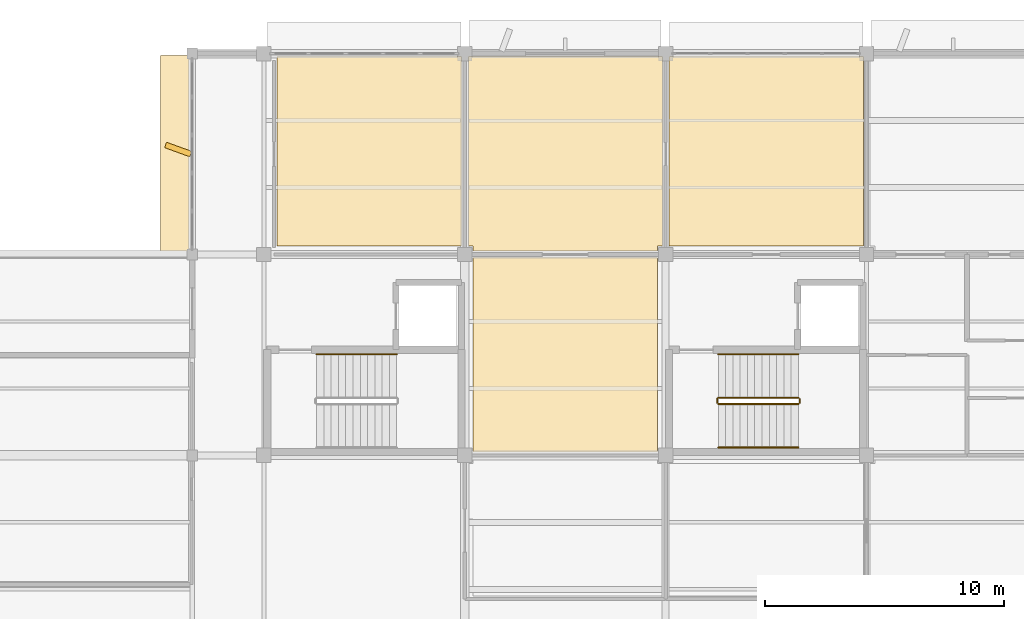
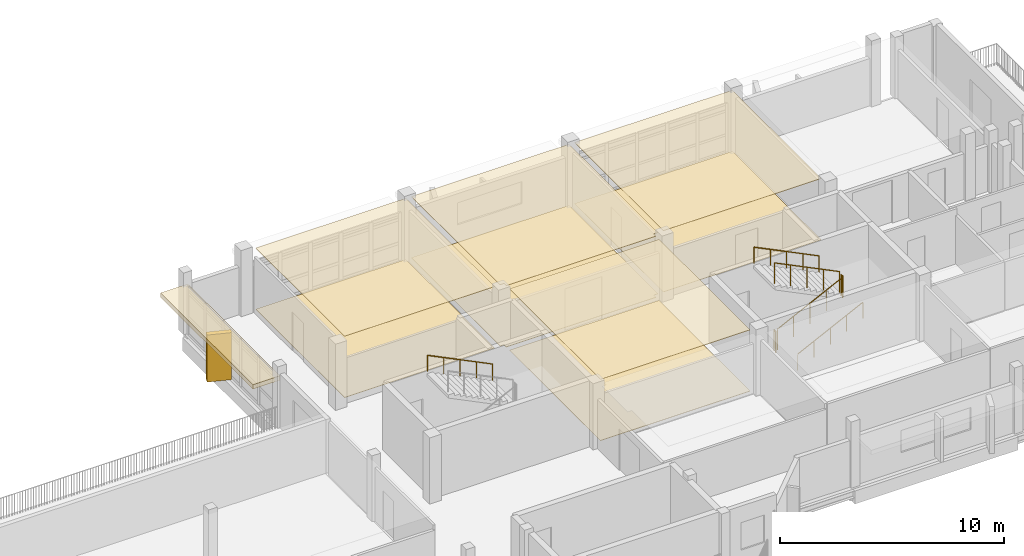
# One storey, part 37 of 42: 10 coverings, 7 railings.
"""IFC4 building model written with IfcOpenShell, lengths in metres."""

from ifc_helpers import new_model, si_unit, direction, frame, origin, origin_2d, place, context, subcontext, project, spatial, polyline, rectangle, circle, outline, extrude, material, layer, layer_set, type_object, element, save


model = new_model("IFC4")

# Units and contexts
model_context = context("Model", 3, precision=1e-05, world=origin(), true_north=direction((0.0, 1.0)))
body_context = subcontext(model_context, "Body", "Model", "MODEL_VIEW")
ifc_project = project(units=[si_unit("LENGTHUNIT", "METRE"), si_unit("AREAUNIT", "SQUARE_METRE"), si_unit("VOLUMEUNIT", "CUBIC_METRE"), si_unit("PLANEANGLEUNIT", "RADIAN"), si_unit("MASSUNIT", "GRAM", prefix="KILO")], contexts=[model_context])

# Site, building, storey
site_placement = place(None, origin())
site = spatial("IfcSite", under=ifc_project, at=site_placement, CompositionType="ELEMENT")
building_placement = place(site_placement, origin())
building = spatial("IfcBuilding", under=site, at=building_placement, Name="Vanh Quang Courtyard School", CompositionType="ELEMENT")
storey_placement = place(building_placement, frame((0.0, 0.0, 15.0)))
storey = spatial("IfcBuildingStorey", under=building, at=storey_placement, Name="L04", CompositionType="ELEMENT", Elevation=15.0)

# Coverings
ifc_material_1 = material(Name="Perforated mineral-fibre acoustic ceiling board")
ifc_layer_1 = layer(ifc_material_1, 0.02490234375)
ifc_layer_set_1 = layer_set([ifc_layer_1], Name="Perforated mineral-fibre acoustic ceiling board")
covering_type_1 = type_object("IfcCoveringType", Name="COV-CEIL-ACOUSTIC", PredefinedType="CEILING", material=ifc_layer_set_1)
covering_1_placement = place(storey_placement, frame((0.0, 0.0, 3.324951171875)))
element("IfcCovering", 1, at=covering_1_placement, inside=storey, type_object=covering_type_1, Name="Covering CV-CL1 (L04)", PredefinedType="CEILING", context=body_context, shape_type="SweptSolid", body=[
    extrude(outline(polyline([(77.949951171875, 96.4599609375), (77.949951171875, 96.4609375), (77.9501953125, 96.4619140625), (77.950439453125, 96.462890625), (77.95068359375, 96.4638671875), (77.951171875, 96.464599609375), (77.95166015625, 96.465576171875), (77.952392578125, 96.46630859375), (77.952880859375, 96.467041015625), (77.95361328125, 96.4677734375), (77.954345703125, 96.46826171875), (77.955322265625, 96.46875), (77.956298828125, 96.46923828125), (77.95703125, 96.469482421875), (77.9580078125, 96.4697265625), (77.958984375, 96.469970703125), (77.9599609375, 96.469970703125), (85.659912109375, 96.469970703125), (85.660888671875, 96.469970703125), (85.662109375, 96.4697265625), (85.662841796875, 96.469482421875), (85.663818359375, 96.46923828125), (85.664794921875, 96.46875), (85.66552734375, 96.46826171875), (85.666259765625, 96.4677734375), (85.6669921875, 96.467041015625), (85.667724609375, 96.46630859375), (85.668212890625, 96.465576171875), (85.668701171875, 96.464599609375), (85.669189453125, 96.4638671875), (85.669677734375, 96.462890625), (85.669921875, 96.4619140625), (85.669921875, 96.4609375), (85.669921875, 96.4599609375), (85.669921875, 88.550048828125), (77.949951171875, 88.550048828125), (77.949951171875, 96.4599609375)])), origin(), (0.0, 0.0, 1.0), 0.025146484375),
])
covering_2_placement = place(storey_placement, frame((0.0, 0.0, 3.324951171875)))
element("IfcCovering", 2, at=covering_2_placement, inside=storey, type_object=covering_type_1, Name="Covering CV-CL1 (L04)", PredefinedType="CEILING", context=body_context, shape_type="SweptSolid", body=[
    extrude(outline(polyline([(86.14990234375, 79.949951171875), (86.14990234375, 88.070068359375), (93.85009765625, 88.070068359375), (93.85009765625, 79.949951171875), (86.14990234375, 79.949951171875)])), origin(), (0.0, 0.0, 1.0), 0.025146484375),
])
covering_3_placement = place(storey_placement, frame((0.0, 0.0, 3.324951171875)))
element("IfcCovering", 3, at=covering_3_placement, inside=storey, type_object=covering_type_1, Name="Covering CV-CL1 (L04)", PredefinedType="CEILING", context=body_context, shape_type="SweptSolid", body=[
    extrude(outline(polyline([(86.14990234375, 88.35009765625), (86.14990234375, 88.550048828125), (85.949951171875, 88.550048828125), (85.949951171875, 96.4599609375), (85.949951171875, 96.4609375), (85.9501953125, 96.4619140625), (85.950439453125, 96.462890625), (85.95068359375, 96.4638671875), (85.951171875, 96.464599609375), (85.95166015625, 96.465576171875), (85.952392578125, 96.46630859375), (85.952880859375, 96.467041015625), (85.95361328125, 96.4677734375), (85.954345703125, 96.46826171875), (85.955322265625, 96.46875), (85.956298828125, 96.46923828125), (85.95703125, 96.469482421875), (85.9580078125, 96.4697265625), (85.958984375, 96.469970703125), (85.9599609375, 96.469970703125), (94.06005859375, 96.469970703125), (94.06103515625, 96.469970703125), (94.06201171875, 96.4697265625), (94.06298828125, 96.469482421875), (94.063720703125, 96.46923828125), (94.064697265625, 96.46875), (94.065673828125, 96.46826171875), (94.06640625, 96.4677734375), (94.067138671875, 96.467041015625), (94.067626953125, 96.46630859375), (94.068359375, 96.465576171875), (94.06884765625, 96.464599609375), (94.069091796875, 96.4638671875), (94.069580078125, 96.462890625), (94.06982421875, 96.4619140625), (94.070068359375, 96.4609375), (94.070068359375, 96.4599609375), (94.070068359375, 88.550048828125), (93.85009765625, 88.550048828125), (93.85009765625, 88.35009765625), (86.14990234375, 88.35009765625)])), origin(), (0.0, 0.0, 1.0), 0.025146484375),
])
covering_4_placement = place(storey_placement, frame((0.0, 0.0, 3.324951171875)))
element("IfcCovering", 4, at=covering_4_placement, inside=storey, type_object=covering_type_1, Name="Covering CV-CL1 (L04)", PredefinedType="CEILING", context=body_context, shape_type="SweptSolid", body=[
    extrude(outline(polyline([(94.35009765625, 96.4599609375), (94.35009765625, 96.4609375), (94.35009765625, 96.4619140625), (94.350341796875, 96.462890625), (94.350830078125, 96.4638671875), (94.351318359375, 96.464599609375), (94.351806640625, 96.465576171875), (94.352294921875, 96.46630859375), (94.352783203125, 96.467041015625), (94.353759765625, 96.4677734375), (94.3544921875, 96.46826171875), (94.355224609375, 96.46875), (94.356201171875, 96.46923828125), (94.357177734375, 96.469482421875), (94.35791015625, 96.4697265625), (94.35888671875, 96.469970703125), (94.360107421875, 96.469970703125), (102.4599609375, 96.469970703125), (102.4609375, 96.469970703125), (102.4619140625, 96.4697265625), (102.462890625, 96.469482421875), (102.4638671875, 96.46923828125), (102.464599609375, 96.46875), (102.465576171875, 96.46826171875), (102.46630859375, 96.4677734375), (102.467041015625, 96.467041015625), (102.4677734375, 96.46630859375), (102.46826171875, 96.465576171875), (102.46875, 96.464599609375), (102.46923828125, 96.4638671875), (102.469482421875, 96.462890625), (102.4697265625, 96.4619140625), (102.469970703125, 96.4609375), (102.469970703125, 96.4599609375), (102.469970703125, 88.550048828125), (94.34912109375, 88.550048828125), (94.35009765625, 96.4599609375)])), origin(), (0.0, 0.0, 1.0), 0.025146484375),
])
ifc_material_2 = material(Name="Polished cementitious terrazzo tile", Category="concrete")
ifc_layer_2 = layer(ifc_material_2, 0.02001953125)
ifc_layer_set_2 = layer_set([ifc_layer_2], Name="Polished cementitious terrazzo tile")
covering_type_2 = type_object("IfcCoveringType", Name="COV-FLR-TERRAZZO", PredefinedType="FLOORING", material=ifc_layer_set_2)
covering_5_placement = place(storey_placement, origin())
element("IfcCovering", 5, at=covering_5_placement, inside=storey, type_object=covering_type_2, Name="Covering CV-FL1 (L04)", PredefinedType="FLOORING", context=body_context, shape_type="SweptSolid", body=[
    extrude(outline(polyline([(77.949951171875, 96.4599609375), (77.949951171875, 96.4609375), (77.9501953125, 96.4619140625), (77.950439453125, 96.462890625), (77.95068359375, 96.4638671875), (77.951171875, 96.464599609375), (77.95166015625, 96.465576171875), (77.952392578125, 96.46630859375), (77.952880859375, 96.467041015625), (77.95361328125, 96.4677734375), (77.954345703125, 96.46826171875), (77.955322265625, 96.46875), (77.956298828125, 96.46923828125), (77.95703125, 96.469482421875), (77.9580078125, 96.4697265625), (77.958984375, 96.469970703125), (77.9599609375, 96.469970703125), (85.659912109375, 96.469970703125), (85.660888671875, 96.469970703125), (85.662109375, 96.4697265625), (85.662841796875, 96.469482421875), (85.663818359375, 96.46923828125), (85.664794921875, 96.46875), (85.66552734375, 96.46826171875), (85.666259765625, 96.4677734375), (85.6669921875, 96.467041015625), (85.667724609375, 96.46630859375), (85.668212890625, 96.465576171875), (85.668701171875, 96.464599609375), (85.669189453125, 96.4638671875), (85.669677734375, 96.462890625), (85.669921875, 96.4619140625), (85.669921875, 96.4609375), (85.669921875, 96.4599609375), (85.669921875, 88.550048828125), (77.949951171875, 88.550048828125), (77.949951171875, 96.4599609375)])), origin(), (0.0, 0.0, 1.0), 0.02001953125),
])
covering_6_placement = place(storey_placement, origin())
element("IfcCovering", 6, at=covering_6_placement, inside=storey, type_object=covering_type_2, Name="Covering CV-FL1 (L04)", PredefinedType="FLOORING", context=body_context, shape_type="SweptSolid", body=[
    extrude(outline(polyline([(86.14990234375, 79.949951171875), (86.14990234375, 88.070068359375), (93.85009765625, 88.070068359375), (93.85009765625, 79.949951171875), (86.14990234375, 79.949951171875)])), origin(), (0.0, 0.0, 1.0), 0.02001953125),
])
covering_7_placement = place(storey_placement, origin())
element("IfcCovering", 7, at=covering_7_placement, inside=storey, type_object=covering_type_2, Name="Covering CV-FL1 (L04)", PredefinedType="FLOORING", context=body_context, shape_type="SweptSolid", body=[
    extrude(outline(polyline([(86.14990234375, 88.35009765625), (86.14990234375, 88.550048828125), (85.949951171875, 88.550048828125), (85.949951171875, 96.4599609375), (85.949951171875, 96.4609375), (85.9501953125, 96.4619140625), (85.950439453125, 96.462890625), (85.95068359375, 96.4638671875), (85.951171875, 96.464599609375), (85.95166015625, 96.465576171875), (85.952392578125, 96.46630859375), (85.952880859375, 96.467041015625), (85.95361328125, 96.4677734375), (85.954345703125, 96.46826171875), (85.955322265625, 96.46875), (85.956298828125, 96.46923828125), (85.95703125, 96.469482421875), (85.9580078125, 96.4697265625), (85.958984375, 96.469970703125), (85.9599609375, 96.469970703125), (94.06005859375, 96.469970703125), (94.06103515625, 96.469970703125), (94.06201171875, 96.4697265625), (94.06298828125, 96.469482421875), (94.063720703125, 96.46923828125), (94.064697265625, 96.46875), (94.065673828125, 96.46826171875), (94.06640625, 96.4677734375), (94.067138671875, 96.467041015625), (94.067626953125, 96.46630859375), (94.068359375, 96.465576171875), (94.06884765625, 96.464599609375), (94.069091796875, 96.4638671875), (94.069580078125, 96.462890625), (94.06982421875, 96.4619140625), (94.070068359375, 96.4609375), (94.070068359375, 96.4599609375), (94.070068359375, 88.550048828125), (93.85009765625, 88.550048828125), (93.85009765625, 88.35009765625), (86.14990234375, 88.35009765625)])), origin(), (0.0, 0.0, 1.0), 0.02001953125),
])
covering_8_placement = place(storey_placement, origin())
element("IfcCovering", 8, at=covering_8_placement, inside=storey, type_object=covering_type_2, Name="Covering CV-FL1 (L04)", PredefinedType="FLOORING", context=body_context, shape_type="SweptSolid", body=[
    extrude(outline(polyline([(94.35009765625, 96.4599609375), (94.35009765625, 96.4609375), (94.35009765625, 96.4619140625), (94.350341796875, 96.462890625), (94.350830078125, 96.4638671875), (94.351318359375, 96.464599609375), (94.351806640625, 96.465576171875), (94.352294921875, 96.46630859375), (94.352783203125, 96.467041015625), (94.353759765625, 96.4677734375), (94.3544921875, 96.46826171875), (94.355224609375, 96.46875), (94.356201171875, 96.46923828125), (94.357177734375, 96.469482421875), (94.35791015625, 96.4697265625), (94.35888671875, 96.469970703125), (94.360107421875, 96.469970703125), (102.4599609375, 96.469970703125), (102.4609375, 96.469970703125), (102.4619140625, 96.4697265625), (102.462890625, 96.469482421875), (102.4638671875, 96.46923828125), (102.464599609375, 96.46875), (102.465576171875, 96.46826171875), (102.46630859375, 96.4677734375), (102.467041015625, 96.467041015625), (102.4677734375, 96.46630859375), (102.46826171875, 96.465576171875), (102.46875, 96.464599609375), (102.46923828125, 96.4638671875), (102.469482421875, 96.462890625), (102.4697265625, 96.4619140625), (102.469970703125, 96.4609375), (102.469970703125, 96.4599609375), (102.469970703125, 88.550048828125), (94.34912109375, 88.550048828125), (94.35009765625, 96.4599609375)])), origin(), (0.0, 0.0, 1.0), 0.02001953125),
])
ifc_material_3 = material(Name="Board-marked precast concrete C40/50", Category="concrete")
ifc_layer_3 = layer(ifc_material_3, 0.239990234375)
ifc_layer_set_3 = layer_set([ifc_layer_3], Name="Board-marked precast concrete C40/50")
covering_type_3 = type_object("IfcCoveringType", Name="COV-HOOD-CONC", PredefinedType="CLADDING", material=ifc_layer_set_3)
covering_9_placement = place(storey_placement, frame((73.780029296875, 92.39990234375, 2.33984375), z_axis=(0.0, 0.0, 1.0), x_axis=(0.0, 1.0, 0.0)))
element("IfcCovering", 9, at=covering_9_placement, inside=storey, type_object=covering_type_3, Name="Covering CH-01 (L04)", PredefinedType="CLADDING", context=body_context, shape_type="SweptSolid", body=[
    extrude(rectangle(XDim=8.23388671875, YDim=1.39990234375, at=origin_2d()), origin(), (0.0, 0.0, 1.0), 0.239990234375),
])
covering_10_placement = place(storey_placement, frame((73.81494140625, 92.590087890625, 0.0), z_axis=(0.0, 0.0, 1.0), x_axis=(-0.94028812701, 0.340379550213, 0.0)))
element("IfcCovering", 10, at=covering_10_placement, inside=storey, type_object=covering_type_3, Name="Covering CH-01 (L04)", PredefinedType="CLADDING", context=body_context, shape_type="SweptSolid", body=[
    extrude(rectangle(XDim=1.11669921875, YDim=0.239990234375, at=origin_2d()), origin(), (0.0, 0.0, 1.0), 2.56005859375),
])

# Railings
ifc_material_4 = material(Name="Galvanised painted steel EN 10025-2 S355J2", Category="steel")
railing_type_1 = type_object("IfcRailingType", Name="RAIL-GUARD-1150", PredefinedType="BALUSTRADE", material=ifc_material_4)
railing_1_placement = place(storey_placement, frame((96.39990234375, 81.949951171875, 0.14990234375)))
element("IfcRailing", 11, at=railing_1_placement, inside=storey, type_object=railing_type_1, Name="L04 ST-02 stair guard 1", PredefinedType="BALUSTRADE", context=body_context, shape_type="SweptSolid", body=[
    extrude(circle(Radius=0.02392578125, at=origin_2d()), frame((0.0, 0.0, 1.1259765625), z_axis=(0.89733343241, 0.0, 0.441353272424), x_axis=(0.0, 1.0, 0.0)), (0.0, 0.0, 1.0), 3.73876953125),
    extrude(circle(Radius=0.02099609375, at=origin_2d()), origin(), (0.0, 0.0, 1.0), 1.101806640625),
    extrude(circle(Radius=0.02099609375, at=origin_2d()), frame((0.8388671875, 0.0, 0.41259765625)), (0.0, 0.0, 1.0), 1.101806640625),
    extrude(circle(Radius=0.02099609375, at=origin_2d()), frame((1.677490234375, 0.0, 0.8251953125)), (0.0, 0.0, 1.0), 1.101806640625),
    extrude(circle(Radius=0.02099609375, at=origin_2d()), frame((2.51611328125, 0.0, 1.237548828125)), (0.0, 0.0, 1.0), 1.101806640625),
    extrude(circle(Radius=0.02099609375, at=origin_2d()), frame((3.35498046875, 0.0, 1.650146484375)), (0.0, 0.0, 1.0), 1.101806640625),
])
railing_2_placement = place(storey_placement, frame((99.804931640625, 82.0, 1.800048828125)))
element("IfcRailing", 12, at=railing_2_placement, inside=storey, type_object=railing_type_1, Name="L04 ST-02 stair guard 2", PredefinedType="BALUSTRADE", context=body_context, shape_type="SweptSolid", body=[
    extrude(circle(Radius=0.02392578125, at=origin_2d()), frame((0.0, 0.0, 1.1259765625), z_axis=(0.0, 1.0, 0.0), x_axis=(-1.0, 0.0, 0.0)), (0.0, 0.0, 1.0), 0.159912109375),
    extrude(circle(Radius=0.02099609375, at=origin_2d()), origin(), (0.0, 0.0, 1.0), 1.101806640625),
    extrude(circle(Radius=0.02099609375, at=origin_2d()), frame((0.0, 0.159912109375, 0.0)), (0.0, 0.0, 1.0), 1.101806640625),
])
railing_3_placement = place(storey_placement, frame((99.7548828125, 82.2099609375, 1.949951171875)))
element("IfcRailing", 13, at=railing_3_placement, inside=storey, type_object=railing_type_1, Name="L04 ST-02 stair guard 3", PredefinedType="BALUSTRADE", context=body_context, shape_type="SweptSolid", body=[
    extrude(circle(Radius=0.02392578125, at=origin_2d()), frame((0.0, 0.0, 1.1259765625), z_axis=(-0.89733343241, 0.0, 0.441353272424), x_axis=(0.0, -1.0, 0.0)), (0.0, 0.0, 1.0), 3.73876953125),
    extrude(circle(Radius=0.02099609375, at=origin_2d()), origin(), (0.0, 0.0, 1.0), 1.101806640625),
    extrude(circle(Radius=0.02099609375, at=origin_2d()), frame((-0.8388671875, 0.0, 0.41259765625)), (0.0, 0.0, 1.0), 1.101806640625),
    extrude(circle(Radius=0.02099609375, at=origin_2d()), frame((-1.677490234375, 0.0, 0.8251953125)), (0.0, 0.0, 1.0), 1.101806640625),
    extrude(circle(Radius=0.02099609375, at=origin_2d()), frame((-2.51611328125, 0.0, 1.237548828125)), (0.0, 0.0, 1.0), 1.101806640625),
    extrude(circle(Radius=0.02099609375, at=origin_2d()), frame((-3.35498046875, 0.0, 1.650146484375)), (0.0, 0.0, 1.0), 1.101806640625),
])
railing_4_placement = place(storey_placement, frame((96.35009765625, 82.0, 0.0)))
element("IfcRailing", 14, at=railing_4_placement, inside=storey, type_object=railing_type_1, Name="L04 ST-02 stair guard 4", PredefinedType="BALUSTRADE", context=body_context, shape_type="SweptSolid", body=[
    extrude(circle(Radius=0.02392578125, at=origin_2d()), frame((0.0, 0.0, 1.1259765625), z_axis=(0.0, 1.0, 0.0), x_axis=(-1.0, 0.0, 0.0)), (0.0, 0.0, 1.0), 0.159912109375),
    extrude(circle(Radius=0.02099609375, at=origin_2d()), origin(), (0.0, 0.0, 1.0), 1.101806640625),
    extrude(circle(Radius=0.02099609375, at=origin_2d()), frame((0.0, 0.159912109375, 0.0)), (0.0, 0.0, 1.0), 1.101806640625),
])
ifc_material_5 = material(Name="Brushed stainless steel", Category="steel")
railing_type_2 = type_object("IfcRailingType", Name="RAIL-HAND-900", PredefinedType="HANDRAIL", material=ifc_material_5)
railing_5_placement = place(storey_placement, frame((82.955078125, 84.030029296875, 1.949951171875)))
element("IfcRailing", 15, at=railing_5_placement, inside=storey, type_object=railing_type_2, Name="L04 ST-01 stair handrail 2", PredefinedType="HANDRAIL", context=body_context, shape_type="SweptSolid", body=[
    extrude(circle(Radius=0.02392578125, at=origin_2d()), frame((0.0, 0.0, 0.8759765625), z_axis=(-0.89733343241, 0.0, 0.441353272424), x_axis=(0.0, -1.0, 0.0)), (0.0, 0.0, 1.0), 3.73876953125),
    extrude(circle(Radius=0.02099609375, at=origin_2d()), origin(), (0.0, 0.0, 1.0), 0.851806640625),
    extrude(circle(Radius=0.02099609375, at=origin_2d()), frame((-0.8388671875, 0.0, 0.41259765625)), (0.0, 0.0, 1.0), 0.851806640625),
    extrude(circle(Radius=0.02099609375, at=origin_2d()), frame((-1.677490234375, 0.0, 0.8251953125)), (0.0, 0.0, 1.0), 0.851806640625),
    extrude(circle(Radius=0.02099609375, at=origin_2d()), frame((-2.51611328125, 0.0, 1.237548828125)), (0.0, 0.0, 1.0), 0.851806640625),
    extrude(circle(Radius=0.02099609375, at=origin_2d()), frame((-3.35498046875, 0.0, 1.650146484375)), (0.0, 0.0, 1.0), 0.851806640625),
])
railing_6_placement = place(storey_placement, frame((96.39990234375, 80.1298828125, 0.14990234375)))
element("IfcRailing", 16, at=railing_6_placement, inside=storey, type_object=railing_type_2, Name="L04 ST-02 stair handrail 1", PredefinedType="HANDRAIL", context=body_context, shape_type="SweptSolid", body=[
    extrude(circle(Radius=0.02392578125, at=origin_2d()), frame((0.0, 0.0, 0.8759765625), z_axis=(0.89733343241, 0.0, 0.441353272424), x_axis=(0.0, 1.0, 0.0)), (0.0, 0.0, 1.0), 3.73876953125),
    extrude(circle(Radius=0.02099609375, at=origin_2d()), origin(), (0.0, 0.0, 1.0), 0.851806640625),
    extrude(circle(Radius=0.02099609375, at=origin_2d()), frame((0.8388671875, 0.0, 0.41259765625)), (0.0, 0.0, 1.0), 0.851806640625),
    extrude(circle(Radius=0.02099609375, at=origin_2d()), frame((1.677490234375, 0.0, 0.8251953125)), (0.0, 0.0, 1.0), 0.851806640625),
    extrude(circle(Radius=0.02099609375, at=origin_2d()), frame((2.51611328125, 0.0, 1.237548828125)), (0.0, 0.0, 1.0), 0.851806640625),
    extrude(circle(Radius=0.02099609375, at=origin_2d()), frame((3.35498046875, 0.0, 1.650146484375)), (0.0, 0.0, 1.0), 0.851806640625),
])
railing_7_placement = place(storey_placement, frame((99.7548828125, 84.030029296875, 1.949951171875)))
element("IfcRailing", 17, at=railing_7_placement, inside=storey, type_object=railing_type_2, Name="L04 ST-02 stair handrail 2", PredefinedType="HANDRAIL", context=body_context, shape_type="SweptSolid", body=[
    extrude(circle(Radius=0.02392578125, at=origin_2d()), frame((0.0, 0.0, 0.8759765625), z_axis=(-0.89733343241, 0.0, 0.441353272424), x_axis=(0.0, -1.0, 0.0)), (0.0, 0.0, 1.0), 3.73876953125),
    extrude(circle(Radius=0.02099609375, at=origin_2d()), origin(), (0.0, 0.0, 1.0), 0.851806640625),
    extrude(circle(Radius=0.02099609375, at=origin_2d()), frame((-0.8388671875, 0.0, 0.41259765625)), (0.0, 0.0, 1.0), 0.851806640625),
    extrude(circle(Radius=0.02099609375, at=origin_2d()), frame((-1.677490234375, 0.0, 0.8251953125)), (0.0, 0.0, 1.0), 0.851806640625),
    extrude(circle(Radius=0.02099609375, at=origin_2d()), frame((-2.51611328125, 0.0, 1.237548828125)), (0.0, 0.0, 1.0), 0.851806640625),
    extrude(circle(Radius=0.02099609375, at=origin_2d()), frame((-3.35498046875, 0.0, 1.650146484375)), (0.0, 0.0, 1.0), 0.851806640625),
])

save(model, "model.ifc")
